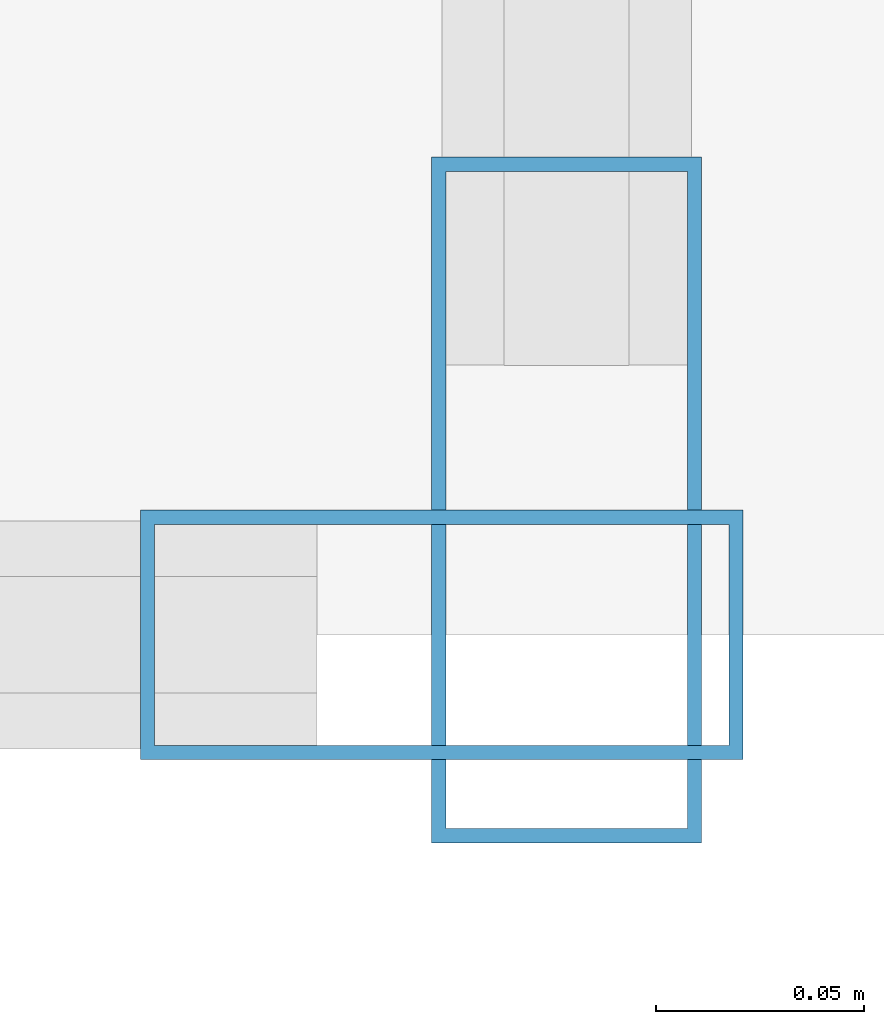
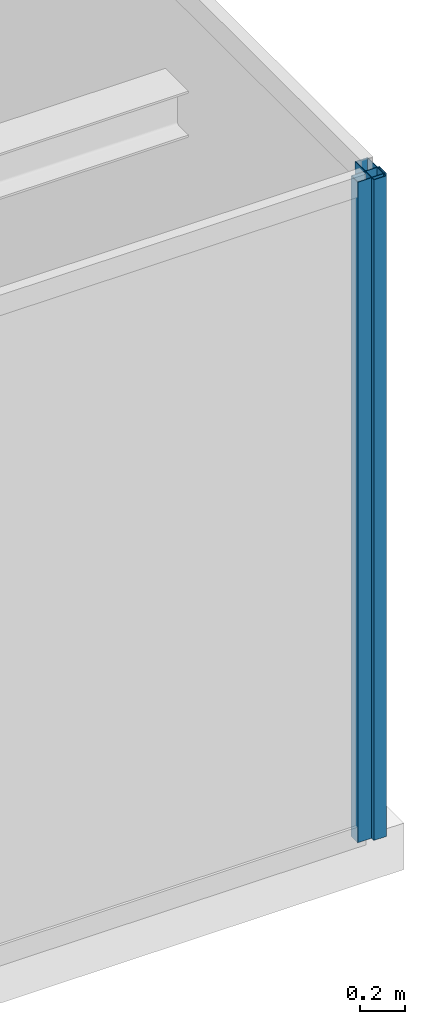
# One storey, part 17 of 30: 2 members, 2 elements without a shape of their own.
"""IFC4 building model written with IfcOpenShell, lengths in metres."""

from ifc_helpers import new_model, si_unit, direction, frame, origin, origin_2d, place, context, subcontext, project, spatial, hollow_rectangle, extrude, source, transform, mapped, material, layer, layer_set, material_profile, profile_set, type_object, type_shapes, element, aggregate, save


model = new_model("IFC4")

# Units and contexts
model_context = context("Model", 3, precision=1e-05, world=origin(), true_north=direction((0.0, 1.0)))
body_context = subcontext(model_context, "Body", "Model", "MODEL_VIEW")
ifc_project = project(units=[si_unit("LENGTHUNIT", "METRE"), si_unit("AREAUNIT", "SQUARE_METRE"), si_unit("VOLUMEUNIT", "CUBIC_METRE"), si_unit("PLANEANGLEUNIT", "RADIAN"), si_unit("MASSUNIT", "GRAM", prefix="KILO")], contexts=[model_context])

# Site, building, storey
site_placement = place(None, origin())
site = spatial("IfcSite", under=ifc_project, at=site_placement, CompositionType="ELEMENT")
building_placement = place(site_placement, origin())
building = spatial("IfcBuilding", under=site, at=building_placement, Name="Varnel Quay Broadcast Tower", CompositionType="ELEMENT")
storey_placement = place(building_placement, frame((0.0, 0.0, 247.0)))
storey = spatial("IfcBuildingStorey", under=building, at=storey_placement, Name="L61", CompositionType="ELEMENT", Elevation=247.0)

# Curtain wall, member
ifc_material = material(Name="Anodised Bronze Aluminium 6063-T6", Category="aluminium")
ifc_layer_1 = layer(ifc_material, 0.18994140625, Name="Anodised Bronze Aluminium 6063-T6")
ifc_layer_set_1 = layer_set([ifc_layer_1], Name="Anodised Bronze Aluminium 6063-T6")
curtain_wall_type_1 = type_object("IfcCurtainWallType", Name="CW_NotchCorner", PredefinedType="NOTDEFINED", material=ifc_layer_set_1)
curtain_wall_1_placement = place(storey_placement, origin())
curtain_wall_1 = element("IfcCurtainWall", 1, at=curtain_wall_1_placement, inside=storey, type_object=curtain_wall_type_1, Name="L61 SE Notch Curtain Wall", PredefinedType="NOTDEFINED")
ifc_material_profile_1 = material_profile(ifc_material, hollow_rectangle(XDim=0.06005859375, YDim=0.14501953125, WallThickness=0.00341796875, at=origin_2d()), Name="ALU60X145X3.5")
ifc_profile_set_1 = profile_set([ifc_material_profile_1], Name="Anodised Bronze Aluminium 6063-T6")
member_type_1 = type_object("IfcMemberType", Name="Mull_CWS-04", PredefinedType="MULLION", material=ifc_profile_set_1)
shared_shape_1 = source(origin(), body_context, "Body", "SweptSolid", [
    extrude(hollow_rectangle(XDim=0.06005859375, YDim=0.14501953125, WallThickness=0.00341796875, at=origin_2d()), origin(), (0.0, 0.0, 1.0), 3.550048828125),
])
type_shapes(member_type_1, [shared_shape_1])
member_1_placement = place(storey_placement, frame((58.320068359375, 13.60009765625, 0.0), z_axis=(0.0, 0.0, 1.0), x_axis=(0.0, 1.0, 0.0)))
member_1 = element("IfcMember", 2, at=member_1_placement, type_object=member_type_1, Name="CWS-04 mullion 2", PredefinedType="MULLION", context=body_context, shape_type="MappedRepresentation", body=[
    mapped(shared_shape_1, transform((0.0, 0.0, 0.0), x_axis=(1.0, 0.0, 0.0), y_axis=(0.0, 1.0, 0.0), z_axis=(0.0, 0.0, 1.0), scale=1.0)),
])
aggregate(curtain_wall_1, [member_1])

ifc_layer_2 = layer(ifc_material, 0.18994140625, Name="Anodised Bronze Aluminium 6063-T6")
ifc_layer_set_2 = layer_set([ifc_layer_2], Name="Anodised Bronze Aluminium 6063-T6")
curtain_wall_type_2 = type_object("IfcCurtainWallType", Name="CW_UpperTower", PredefinedType="NOTDEFINED", material=ifc_layer_set_2)
curtain_wall_2_placement = place(storey_placement, origin())
curtain_wall_2 = element("IfcCurtainWall", 3, at=curtain_wall_2_placement, inside=storey, type_object=curtain_wall_type_2, Name="L61 East Unitised Curtain Wall", PredefinedType="NOTDEFINED")
ifc_material_profile_2 = material_profile(ifc_material, hollow_rectangle(XDim=0.06494140625, YDim=0.1650390625, WallThickness=0.00341796875, at=origin_2d()), Name="ALU65X165X3.5")
ifc_profile_set_2 = profile_set([ifc_material_profile_2], Name="Anodised Bronze Aluminium 6063-T6")
member_type_2 = type_object("IfcMemberType", Name="Mull_CWS-03", PredefinedType="MULLION", material=ifc_profile_set_2)
shared_shape_2 = source(origin(), body_context, "Body", "SweptSolid", [
    extrude(hollow_rectangle(XDim=0.06494140625, YDim=0.1650390625, WallThickness=0.00341796875, at=origin_2d()), origin(), (0.0, 0.0, 1.0), 3.550048828125),
])
type_shapes(member_type_2, [shared_shape_2])
member_2_placement = place(storey_placement, frame((58.35009765625, 13.632568359375, 0.0), z_axis=(0.0, 0.0, 1.0), x_axis=(-1.0, 0.0, 0.0)))
member_2 = element("IfcMember", 4, at=member_2_placement, type_object=member_type_2, Name="CWS-03 mullion 1", PredefinedType="MULLION", context=body_context, shape_type="MappedRepresentation", body=[
    mapped(shared_shape_2, transform((0.0, 0.0, 0.0), x_axis=(1.0, 0.0, 0.0), y_axis=(0.0, 1.0, 0.0), z_axis=(0.0, 0.0, 1.0), scale=1.0)),
])
aggregate(curtain_wall_2, [member_2])

save(model, "model.ifc")
